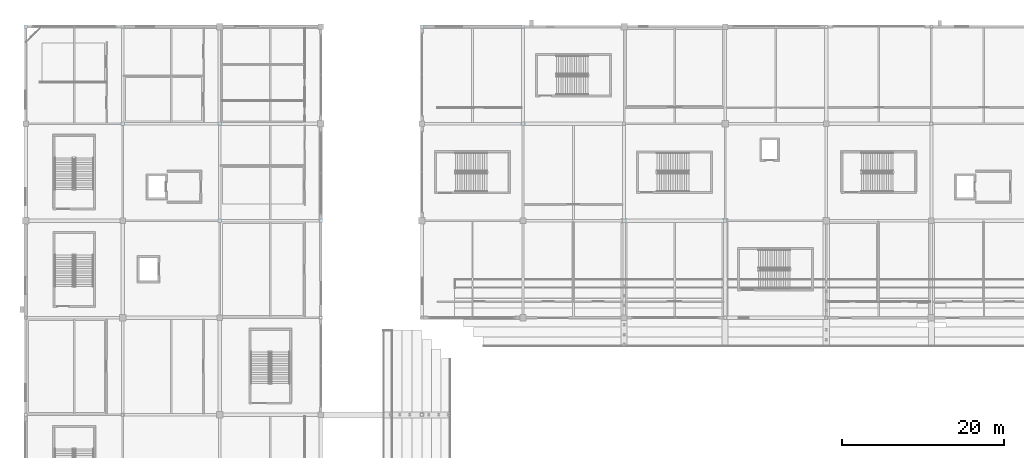
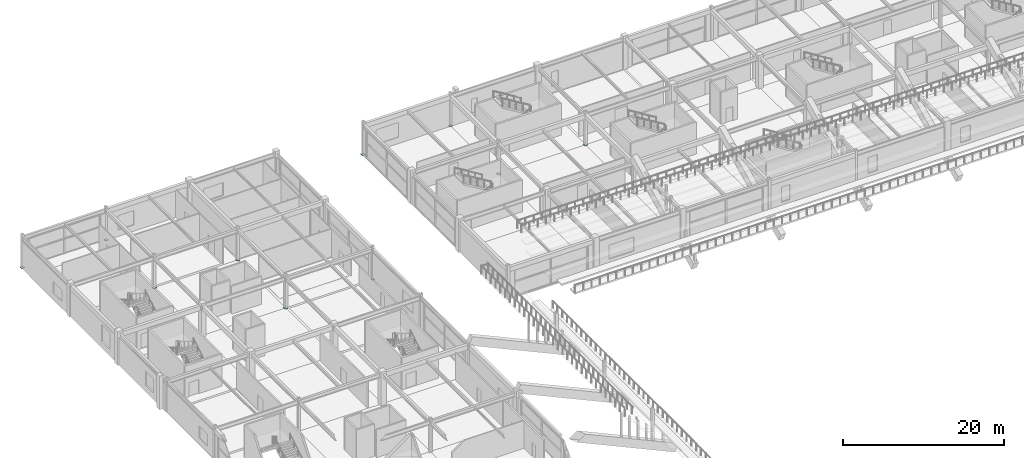
# One storey, part 82 of 128: 12 plates.
"""IFC4 building model written with IfcOpenShell, lengths in metres."""

from ifc_helpers import new_model, si_unit, direction, frame, origin, origin_2d, place, context, subcontext, project, spatial, rectangle, extrude, material, layer, layer_set, type_object, element, save


model = new_model("IFC4")

# Units and contexts
model_context = context("Model", 3, precision=1e-05, world=origin(), true_north=direction((0.0, 1.0)))
body_context = subcontext(model_context, "Body", "Model", "MODEL_VIEW")
ifc_project = project(units=[si_unit("LENGTHUNIT", "METRE"), si_unit("AREAUNIT", "SQUARE_METRE"), si_unit("VOLUMEUNIT", "CUBIC_METRE"), si_unit("PLANEANGLEUNIT", "RADIAN"), si_unit("MASSUNIT", "GRAM", prefix="KILO")], contexts=[model_context])

# Site, building, storey
site_placement = place(None, origin())
site = spatial("IfcSite", under=ifc_project, at=site_placement, CompositionType="ELEMENT")
building_placement = place(site_placement, origin())
building = spatial("IfcBuilding", under=site, at=building_placement, Name="Kazenohara Klinker Stadium", CompositionType="ELEMENT")
storey_placement = place(building_placement, frame((0.0, 0.0, 15.300048828125)))
storey = spatial("IfcBuildingStorey", under=building, at=storey_placement, Name="L03", CompositionType="ELEMENT", Elevation=15.300048828125)

# Plates
ifc_material = material(Name="Steel S355", Category="steel")
ifc_layer_1 = layer(ifc_material, 0.02001953125)
ifc_layer_set_1 = layer_set([ifc_layer_1], Name="Steel S355")
plate_type_1 = type_object("IfcPlateType", Name="PLT-GP01", PredefinedType="USERDEFINED", material=ifc_layer_set_1)
for number, where, z_axis, x_axis, name in (
    (1, (0.0, 168.0, -0.010009765625), (0.0, 0.0, 1.0), (1.0, 0.0, 0.0), "Hollow column end-cap plate GP01 L03 1/Q"),
    (2, (12.0, 156.0, -0.010009765625), (0.0, 0.0, 1.0), (1.0, 0.0, 0.0), "Hollow column end-cap plate GP01 L03 2/P"),
):
    element("IfcPlate", number, at=place(storey_placement, frame(where, z_axis=z_axis, x_axis=x_axis)), inside=storey, type_object=plate_type_1, Name=name, ObjectType="GUSSET PLATE", PredefinedType="USERDEFINED", context=body_context, shape_type="SweptSolid", body=[
        extrude(rectangle(XDim=0.43994140625, YDim=0.43994140625, at=origin_2d()), origin(), (0.0, 0.0, 1.0), 0.02001953125),
    ])
plate_1_placement = place(storey_placement, frame((12.0, 168.0, -0.010009765625), z_axis=(0.0, 0.0, 1.0), x_axis=(1.0, 0.0, 0.0)))
element("IfcPlate", 3, at=plate_1_placement, inside=storey, type_object=plate_type_1, Name="Hollow column end-cap plate GP01 L03 2/Q", ObjectType="GUSSET PLATE", PredefinedType="USERDEFINED", context=body_context, shape_type="SweptSolid", body=[
    extrude(rectangle(XDim=0.389892578125, YDim=0.389892578125, at=origin_2d()), origin(), (0.0, 0.0, 1.0), 0.02001953125),
])
plate_2_placement = place(storey_placement, frame((24.0, 144.0, -0.010009765625), z_axis=(0.0, 0.0, 1.0), x_axis=(1.0, 0.0, 0.0)))
element("IfcPlate", 4, at=plate_2_placement, inside=storey, type_object=plate_type_1, Name="Hollow column end-cap plate GP01 L03 3/N", ObjectType="GUSSET PLATE", PredefinedType="USERDEFINED", context=body_context, shape_type="SweptSolid", body=[
    extrude(rectangle(XDim=0.43994140625, YDim=0.43994140625, at=origin_2d()), origin(), (0.0, 0.0, 1.0), 0.02001953125),
])
for number, where, z_axis, x_axis, name in (
    (5, (24.0, 156.0, -0.010009765625), (0.0, 0.0, 1.0), (1.0, 0.0, 0.0), "Hollow column end-cap plate GP01 L03 3/P"),
    (6, (61.5, 168.0, -0.010009765625), (0.0, 0.0, 1.0), (1.0, 0.0, 0.0), "Hollow column end-cap plate GP01 L03 6/Q"),
):
    element("IfcPlate", number, at=place(storey_placement, frame(where, z_axis=z_axis, x_axis=x_axis)), inside=storey, type_object=plate_type_1, Name=name, ObjectType="GUSSET PLATE", PredefinedType="USERDEFINED", context=body_context, shape_type="SweptSolid", body=[
        extrude(rectangle(XDim=0.389892578125, YDim=0.389892578125, at=origin_2d()), origin(), (0.0, 0.0, 1.0), 0.02001953125),
    ])
ifc_layer_2 = layer(ifc_material, 0.02197265625)
ifc_layer_set_2 = layer_set([ifc_layer_2], Name="Steel S355")
plate_type_2 = type_object("IfcPlateType", Name="PLT-GP02", PredefinedType="USERDEFINED", material=ifc_layer_set_2)
plate_3_placement = place(storey_placement, frame((74.0, 144.0, -0.010986328125), z_axis=(0.0, 0.0, 1.0), x_axis=(1.0, 0.0, 0.0)))
element("IfcPlate", 7, at=plate_3_placement, inside=storey, type_object=plate_type_2, Name="Hollow column end-cap plate GP02 L03 7/N", ObjectType="GUSSET PLATE", PredefinedType="USERDEFINED", context=body_context, shape_type="SweptSolid", body=[
    extrude(rectangle(XDim=0.43994140625, YDim=0.43994140625, at=origin_2d()), origin(), (0.0, 0.0, 1.0), 0.02197265625),
])
ifc_layer_3 = layer(ifc_material, 0.02392578125)
ifc_layer_set_3 = layer_set([ifc_layer_3], Name="Steel S355")
plate_type_3 = type_object("IfcPlateType", Name="PLT-GP03", PredefinedType="USERDEFINED", material=ifc_layer_set_3)
plate_4_placement = place(storey_placement, frame((61.5, 156.0, -0.011962890625), z_axis=(0.0, 0.0, 1.0), x_axis=(1.0, 0.0, 0.0)))
element("IfcPlate", 8, at=plate_4_placement, inside=storey, type_object=plate_type_3, Name="Hollow column end-cap plate GP03 L03 6/P", ObjectType="GUSSET PLATE", PredefinedType="USERDEFINED", context=body_context, shape_type="SweptSolid", body=[
    extrude(rectangle(XDim=0.43994140625, YDim=0.43994140625, at=origin_2d()), origin(), (0.0, 0.0, 1.0), 0.02392578125),
])
ifc_layer_4 = layer(ifc_material, 0.02490234375)
ifc_layer_set_4 = layer_set([ifc_layer_4], Name="Steel S355")
plate_type_4 = type_object("IfcPlateType", Name="PLT-GP04", PredefinedType="USERDEFINED", material=ifc_layer_set_4)
plate_5_placement = place(storey_placement, frame((36.5, 144.0, -0.012451171875), z_axis=(0.0, 0.0, 1.0), x_axis=(1.0, 0.0, 0.0)))
element("IfcPlate", 9, at=plate_5_placement, inside=storey, type_object=plate_type_4, Name="Hollow column end-cap plate GP04 L03 4/N", ObjectType="GUSSET PLATE", PredefinedType="USERDEFINED", context=body_context, shape_type="SweptSolid", body=[
    extrude(rectangle(XDim=0.389892578125, YDim=0.389892578125, at=origin_2d()), origin(), (0.0, 0.0, 1.0), 0.02490234375),
])
plate_6_placement = place(storey_placement, frame((49.0, 168.0, -0.012451171875), z_axis=(0.0, 0.0, 1.0), x_axis=(1.0, 0.0, 0.0)))
element("IfcPlate", 10, at=plate_6_placement, inside=storey, type_object=plate_type_4, Name="Hollow column end-cap plate GP04 L03 5/Q", ObjectType="GUSSET PLATE", PredefinedType="USERDEFINED", context=body_context, shape_type="SweptSolid", body=[
    extrude(rectangle(XDim=0.43994140625, YDim=0.43994140625, at=origin_2d()), origin(), (0.0, 0.0, 1.0), 0.02490234375),
])
for number, where, z_axis, x_axis, name in (
    (11, (74.0, 156.0, -0.012451171875), (0.0, 0.0, 1.0), (1.0, 0.0, 0.0), "Hollow column end-cap plate GP04 L03 7/P"),
    (12, (86.5, 144.0, -0.012451171875), (0.0, 0.0, 1.0), (1.0, 0.0, 0.0), "Hollow column end-cap plate GP04 L03 8/N"),
):
    element("IfcPlate", number, at=place(storey_placement, frame(where, z_axis=z_axis, x_axis=x_axis)), inside=storey, type_object=plate_type_4, Name=name, ObjectType="GUSSET PLATE", PredefinedType="USERDEFINED", context=body_context, shape_type="SweptSolid", body=[
        extrude(rectangle(XDim=0.389892578125, YDim=0.389892578125, at=origin_2d()), origin(), (0.0, 0.0, 1.0), 0.02490234375),
    ])

save(model, "model.ifc")
